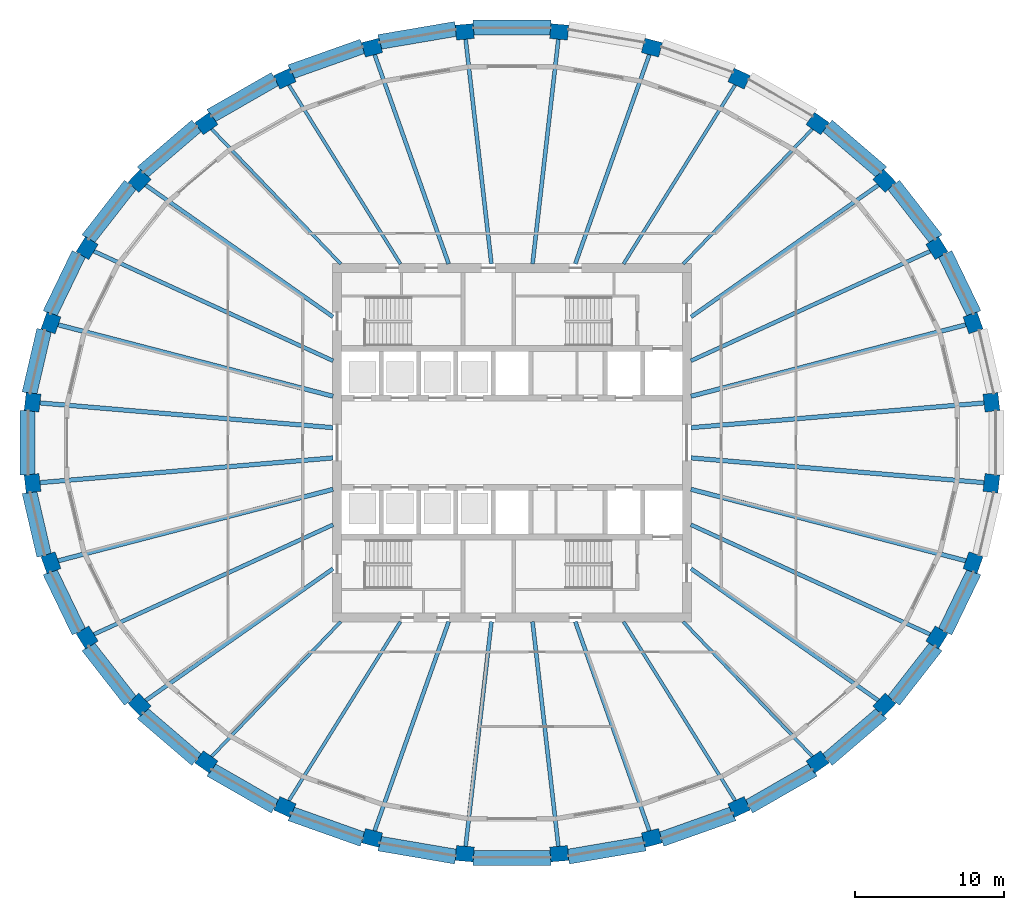
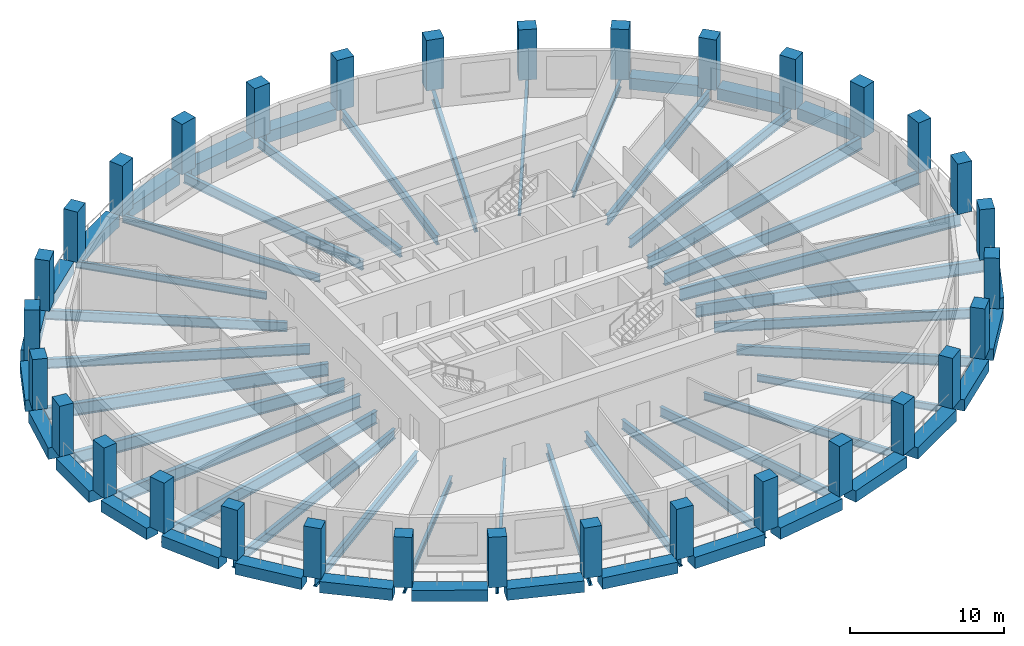
# One storey, part 1 of 10: 58 beams, 32 columns.
"""IFC4 building model written with IfcOpenShell, lengths in metres."""

from ifc_helpers import new_model, si_unit, direction, frame, origin, origin_2d, place, context, subcontext, project, spatial, rectangle, i_section, extrude, material, material_profile, profile_set, type_object, element, save


model = new_model("IFC4")

# Units and contexts
model_context = context("Model", 3, precision=1e-05, world=origin(), true_north=direction((0.0, 1.0)))
body_context = subcontext(model_context, "Body", "Model", "MODEL_VIEW")
ifc_project = project(units=[si_unit("LENGTHUNIT", "METRE"), si_unit("AREAUNIT", "SQUARE_METRE"), si_unit("VOLUMEUNIT", "CUBIC_METRE"), si_unit("PLANEANGLEUNIT", "RADIAN"), si_unit("MASSUNIT", "GRAM", prefix="KILO")], contexts=[model_context])

# Site, building, storey
site_placement = place(None, origin())
site = spatial("IfcSite", under=ifc_project, at=site_placement, CompositionType="ELEMENT")
building_placement = place(site_placement, origin())
building = spatial("IfcBuilding", under=site, at=building_placement, Name="Halqa Exchange Tower", CompositionType="ELEMENT")
storey_placement = place(building_placement, frame((0.0, 0.0, 198.89990234375)))
storey = spatial("IfcBuildingStorey", under=building, at=storey_placement, Name="L45", CompositionType="ELEMENT", Elevation=198.89990234375)

# Columns
ifc_material_1 = material(Name="Concrete C60/75", Category="concrete")
ifc_material_profile_1 = material_profile(ifc_material_1, rectangle(XDim=1.199951171875, YDim=1.0, at=origin_2d()), Name="1200 x 1000")
ifc_profile_set_1 = profile_set([ifc_material_profile_1], Name="Concrete C60/75")
column_type = type_object("IfcColumnType", Name="RC ring column 1200 x 1000 C60/75", PredefinedType="COLUMN", material=ifc_profile_set_1)
for number, where, z_axis, x_axis, name in (
    (1, (32.08154296875, 2.70849609375, 0.0), (0.0, 0.0, 1.0), (-0.114156921978, 0.993462730637, 0.0), "Ring column 1"),
    (2, (30.8486328125, 8.02099609375, 0.0), (0.0, 0.0, 1.0), (-0.333632460227, 0.942703230865, 0.0), "Ring column 2"),
    (3, (28.430419921875, 13.025390625, 0.0), (0.0, 0.0, 1.0), (-0.529143458197, 0.848532380435, 0.0), "Ring column 3"),
    (4, (24.91943359375, 17.529296875, 0.0), (0.0, 0.0, 1.0), (-0.691577351953, 0.722302406382, 0.0), "Ring column 4"),
    (5, (20.45068359375, 21.359375, 0.0), (0.0, 0.0, 1.0), (-0.817908788019, 0.57534790734, 0.0), "Ring column 5"),
    (6, (15.1962890625, 24.368896484375, 0.0), (0.0, 0.0, 1.0), (-0.909126368869, 0.416520402174, 0.0), "Ring column 6"),
    (7, (9.35791015625, 26.441650390625, 0.0), (0.0, 0.0, 1.0), (-0.967820381973, 0.251642023988, 0.0), "Ring column 7"),
    (8, (3.159912109375, 27.498291015625, 0.0), (0.0, 0.0, 1.0), (-0.996455812618, 0.084117854819, 0.0), "Ring column 8"),
    (9, (-3.159912109375, 27.498291015625, 0.0), (0.0, 0.0, 1.0), (-0.996455812618, -0.084117854819, 0.0), "Ring column 9"),
    (10, (-9.35791015625, 26.441650390625, 0.0), (0.0, 0.0, 1.0), (-0.967820381973, -0.251642023988, 0.0), "Ring column 10"),
    (11, (-15.1962890625, 24.368896484375, 0.0), (0.0, 0.0, 1.0), (-0.909126368869, -0.416520402174, 0.0), "Ring column 11"),
    (12, (-20.45068359375, 21.359375, 0.0), (0.0, 0.0, 1.0), (-0.817908788019, -0.57534790734, 0.0), "Ring column 12"),
    (13, (-24.91943359375, 17.529296875, 0.0), (0.0, 0.0, 1.0), (-0.691577351953, -0.722302406382, 0.0), "Ring column 13"),
    (14, (-28.430419921875, 13.025390625, 0.0), (0.0, 0.0, 1.0), (-0.529143458197, -0.848532380435, 0.0), "Ring column 14"),
    (15, (-30.8486328125, 8.02099609375, 0.0), (0.0, 0.0, 1.0), (-0.333632460227, -0.942703230865, 0.0), "Ring column 15"),
    (16, (-32.08154296875, 2.70849609375, 0.0), (0.0, 0.0, 1.0), (-0.114156921978, -0.993462730637, 0.0), "Ring column 16"),
    (17, (-32.08154296875, -2.70849609375, 0.0), (0.0, 0.0, 1.0), (0.114156921978, -0.993462730637, 0.0), "Ring column 17"),
    (18, (-30.8486328125, -8.02099609375, 0.0), (0.0, 0.0, 1.0), (0.333632460227, -0.942703230865, 0.0), "Ring column 18"),
    (19, (-28.430419921875, -13.025390625, 0.0), (0.0, 0.0, 1.0), (0.529143458197, -0.848532380435, 0.0), "Ring column 19"),
    (20, (-24.91943359375, -17.529296875, 0.0), (0.0, 0.0, 1.0), (0.691577351953, -0.722302406382, 0.0), "Ring column 20"),
    (21, (-20.45068359375, -21.359375, 0.0), (0.0, 0.0, 1.0), (0.817908788019, -0.57534790734, 0.0), "Ring column 21"),
    (22, (-15.1962890625, -24.368896484375, 0.0), (0.0, 0.0, 1.0), (0.909126368869, -0.416520402174, 0.0), "Ring column 22"),
    (23, (-9.35791015625, -26.441650390625, 0.0), (0.0, 0.0, 1.0), (0.967820381973, -0.251642023988, 0.0), "Ring column 23"),
    (24, (-3.159912109375, -27.498291015625, 0.0), (0.0, 0.0, 1.0), (0.996455812618, -0.084117854819, 0.0), "Ring column 24"),
    (25, (3.159912109375, -27.498291015625, 0.0), (0.0, 0.0, 1.0), (0.996455812618, 0.084117854819, 0.0), "Ring column 25"),
    (26, (9.35791015625, -26.441650390625, 0.0), (0.0, 0.0, 1.0), (0.967820381973, 0.251642023988, 0.0), "Ring column 26"),
    (27, (15.1962890625, -24.368896484375, 0.0), (0.0, 0.0, 1.0), (0.909126368869, 0.416520402174, 0.0), "Ring column 27"),
    (28, (20.45068359375, -21.359375, 0.0), (0.0, 0.0, 1.0), (0.817908788019, 0.57534790734, 0.0), "Ring column 28"),
    (29, (24.91943359375, -17.529296875, 0.0), (0.0, 0.0, 1.0), (0.691577351953, 0.722302406382, 0.0), "Ring column 29"),
    (30, (28.430419921875, -13.025390625, 0.0), (0.0, 0.0, 1.0), (0.529143458197, 0.848532380435, 0.0), "Ring column 30"),
    (31, (30.8486328125, -8.02099609375, 0.0), (0.0, 0.0, 1.0), (0.333632460227, 0.942703230865, 0.0), "Ring column 31"),
    (32, (32.08154296875, -2.70849609375, 0.0), (0.0, 0.0, 1.0), (0.114156921978, 0.993462730637, 0.0), "Ring column 32"),
):
    element("IfcColumn", number, at=place(storey_placement, frame(where, z_axis=z_axis, x_axis=x_axis)), inside=storey, type_object=column_type, Name=name, PredefinedType="COLUMN", context=body_context, shape_type="SweptSolid", body=[
        extrude(rectangle(XDim=1.199951171875, YDim=1.0, at=origin_2d()), origin(), (0.0, 0.0, 1.0), 4.0),
    ])

# Beams
ifc_material_2 = material(Name="Steel S355", Category="steel")
ifc_material_profile_2 = material_profile(ifc_material_2, i_section(OverallWidth=0.300048828125, OverallDepth=0.989990234375, WebThickness=0.0166015625, FlangeThickness=0.031005859375, FilletRadius=0.030029296875, at=origin_2d()), Name="HEA 1000")
ifc_profile_set_2 = profile_set([ifc_material_profile_2], Name="Steel S355")
beam_type_1 = type_object("IfcBeamType", Name="Floor beam HEA 1000", PredefinedType="BEAM", material=ifc_profile_set_2)
beam_1_placement = place(storey_placement, frame((11.972412109375, 1.0107421875, -0.794921875), z_axis=(0.996455519118, 0.084121331533, 0.0), x_axis=(-0.084121331533, 0.996455519118, 0.0)))
element("IfcBeam", 33, at=beam_1_placement, inside=storey, type_object=beam_type_1, Name="Radial beam 1", PredefinedType="BEAM", context=body_context, shape_type="SweptSolid", body=[
    extrude(i_section(OverallWidth=0.300048828125, OverallDepth=0.989990234375, WebThickness=0.0166015625, FlangeThickness=0.031005859375, FilletRadius=0.030029296875, at=origin_2d()), origin(), (0.0, 0.0, 1.0), 20.150390625),
])
for number, where, z_axis, x_axis, name in (
    (34, (11.97119140625, 3.112548828125, -0.794921875), (0.967819636099, 0.251644892619, 0.0), (-0.251644892619, 0.967819636099, 0.0), "Radial beam 2"),
    (35, (-11.97119140625, 3.112548828125, -0.794921875), (-0.967819636099, 0.251644892619, 0.0), (-0.251644892619, -0.967819636099, 0.0), "Radial beam 15"),
):
    element("IfcBeam", number, at=place(storey_placement, frame(where, z_axis=z_axis, x_axis=x_axis)), inside=storey, type_object=beam_type_1, Name=name, PredefinedType="BEAM", context=body_context, shape_type="SweptSolid", body=[
        extrude(i_section(OverallWidth=0.300048828125, OverallDepth=0.989990234375, WebThickness=0.0166015625, FlangeThickness=0.031005859375, FilletRadius=0.030029296875, at=origin_2d()), origin(), (0.0, 0.0, 1.0), 19.469482421875),
    ])
for number, where, z_axis, x_axis, name in (
    (36, (-11.972412109375, 1.0107421875, -0.794921875), (-0.996455519118, 0.084121331533, 0.0), (-0.084121331533, -0.996455519118, 0.0), "Radial beam 16"),
    (37, (-11.972412109375, -1.0107421875, -0.794921875), (-0.996455519118, -0.084121331533, 0.0), (0.084121331533, -0.996455519118, 0.0), "Radial beam 17"),
):
    element("IfcBeam", number, at=place(storey_placement, frame(where, z_axis=z_axis, x_axis=x_axis)), inside=storey, type_object=beam_type_1, Name=name, PredefinedType="BEAM", context=body_context, shape_type="SweptSolid", body=[
        extrude(i_section(OverallWidth=0.300048828125, OverallDepth=0.989990234375, WebThickness=0.0166015625, FlangeThickness=0.031005859375, FilletRadius=0.030029296875, at=origin_2d()), origin(), (0.0, 0.0, 1.0), 20.150390625),
    ])
for number, where, z_axis, x_axis, name in (
    (38, (-11.97119140625, -3.112548828125, -0.794921875), (-0.967819636099, -0.251644892619, 0.0), (0.251644892619, -0.967819636099, 0.0), "Radial beam 18"),
    (39, (11.97119140625, -3.112548828125, -0.794921875), (0.967819636099, -0.251644892619, 0.0), (0.251644892619, 0.967819636099, 0.0), "Radial beam 31"),
):
    element("IfcBeam", number, at=place(storey_placement, frame(where, z_axis=z_axis, x_axis=x_axis)), inside=storey, type_object=beam_type_1, Name=name, PredefinedType="BEAM", context=body_context, shape_type="SweptSolid", body=[
        extrude(i_section(OverallWidth=0.300048828125, OverallDepth=0.989990234375, WebThickness=0.0166015625, FlangeThickness=0.031005859375, FilletRadius=0.030029296875, at=origin_2d()), origin(), (0.0, 0.0, 1.0), 19.469482421875),
    ])
beam_2_placement = place(storey_placement, frame((11.972412109375, -1.0107421875, -0.794921875), z_axis=(0.996455519118, -0.084121331533, 0.0), x_axis=(0.084121331533, 0.996455519118, 0.0)))
element("IfcBeam", 40, at=beam_2_placement, inside=storey, type_object=beam_type_1, Name="Radial beam 32", PredefinedType="BEAM", context=body_context, shape_type="SweptSolid", body=[
    extrude(i_section(OverallWidth=0.300048828125, OverallDepth=0.989990234375, WebThickness=0.0166015625, FlangeThickness=0.031005859375, FilletRadius=0.030029296875, at=origin_2d()), origin(), (0.0, 0.0, 1.0), 20.150390625),
])
ifc_material_profile_3 = material_profile(ifc_material_2, i_section(OverallWidth=0.2099609375, OverallDepth=0.550048828125, WebThickness=0.010986328125, FlangeThickness=0.01708984375, FilletRadius=0.02392578125, at=origin_2d()), Name="IPE 550")
ifc_profile_set_3 = profile_set([ifc_material_profile_3], Name="Steel S355")
beam_type_2 = type_object("IfcBeamType", Name="Floor beam IPE 550", PredefinedType="BEAM", material=ifc_profile_set_3)
for number, where, z_axis, x_axis, name in (
    (41, (11.462646484375, 11.971923828125, -0.574951171875), (0.691565841916, 0.722313426634, 0.0), (-0.722313426634, 0.691565841916, 0.0), "Radial beam 5"),
    (42, (-11.462646484375, 11.971923828125, -0.574951171875), (-0.691565841916, 0.722313426634, 0.0), (-0.722313426634, -0.691565841916, 0.0), "Radial beam 12"),
    (43, (-11.462646484375, -11.971923828125, -0.574951171875), (-0.691565841916, -0.722313426634, 0.0), (0.722313426634, -0.691565841916, 0.0), "Radial beam 21"),
    (44, (11.462646484375, -11.971923828125, -0.574951171875), (0.691565841916, -0.722313426634, 0.0), (0.722313426634, 0.691565841916, 0.0), "Radial beam 28"),
):
    element("IfcBeam", number, at=place(storey_placement, frame(where, z_axis=z_axis, x_axis=x_axis)), inside=storey, type_object=beam_type_2, Name=name, PredefinedType="BEAM", context=body_context, shape_type="SweptSolid", body=[
        extrude(i_section(OverallWidth=0.2099609375, OverallDepth=0.550048828125, WebThickness=0.010986328125, FlangeThickness=0.01708984375, FilletRadius=0.02392578125, at=origin_2d()), origin(), (0.0, 0.0, 1.0), 12.9345703125),
    ])
ifc_material_profile_4 = material_profile(ifc_material_2, i_section(OverallWidth=0.219970703125, OverallDepth=0.60009765625, WebThickness=0.011962890625, FlangeThickness=0.01904296875, FilletRadius=0.02392578125, at=origin_2d()), Name="IPE 600")
ifc_profile_set_4 = profile_set([ifc_material_profile_4], Name="Steel S355")
beam_type_3 = type_object("IfcBeamType", Name="Floor beam IPE 600", PredefinedType="BEAM", material=ifc_profile_set_4)
for number, where, z_axis, x_axis, name in (
    (45, (7.4658203125, 11.972412109375, -0.599853515625), (0.529145816582, 0.848530909746, 0.0), (-0.848530909746, 0.529145816582, 0.0), "Radial beam 6"),
    (46, (-7.4658203125, 11.972412109375, -0.599853515625), (-0.529145816582, 0.848530909746, 0.0), (-0.848530909746, -0.529145816582, 0.0), "Radial beam 11"),
    (47, (-7.4658203125, -11.972412109375, -0.599853515625), (-0.529145816582, -0.848530909746, 0.0), (0.848530909746, -0.529145816582, 0.0), "Radial beam 22"),
    (48, (7.4658203125, -11.972412109375, -0.599853515625), (0.529145816582, -0.848530909746, 0.0), (0.848530909746, 0.529145816582, 0.0), "Radial beam 27"),
):
    element("IfcBeam", number, at=place(storey_placement, frame(where, z_axis=z_axis, x_axis=x_axis)), inside=storey, type_object=beam_type_3, Name=name, PredefinedType="BEAM", context=body_context, shape_type="SweptSolid", body=[
        extrude(i_section(OverallWidth=0.219970703125, OverallDepth=0.60009765625, WebThickness=0.011962890625, FlangeThickness=0.01904296875, FilletRadius=0.02392578125, at=origin_2d()), origin(), (0.0, 0.0, 1.0), 14.538330078125),
    ])
ifc_material_profile_5 = material_profile(ifc_material_2, i_section(OverallWidth=0.264892578125, OverallDepth=0.7529296875, WebThickness=0.01318359375, FlangeThickness=0.01708984375, FilletRadius=0.01708984375, at=origin_2d()), Name="IPE 750x147")
ifc_profile_set_5 = profile_set([ifc_material_profile_5], Name="Steel S355")
beam_type_4 = type_object("IfcBeamType", Name="Floor beam IPE 750x147", PredefinedType="BEAM", material=ifc_profile_set_5)
beam_3_placement = place(storey_placement, frame((11.972412109375, 5.4853515625, -0.676513671875), z_axis=(0.909129033384, 0.416514586369, 0.0), x_axis=(-0.416514586369, 0.909129033384, 0.0)))
element("IfcBeam", 49, at=beam_3_placement, inside=storey, type_object=beam_type_4, Name="Radial beam 3", PredefinedType="BEAM", context=body_context, shape_type="SweptSolid", body=[
    extrude(i_section(OverallWidth=0.264892578125, OverallDepth=0.7529296875, WebThickness=0.01318359375, FlangeThickness=0.01708984375, FilletRadius=0.01708984375, at=origin_2d()), origin(), (0.0, 0.0, 1.0), 18.058837890625),
])
beam_4_placement = place(storey_placement, frame((11.97216796875, 8.421630859375, -0.676513671875), z_axis=(0.817902974143, 0.5753561722, 0.0), x_axis=(-0.5753561722, 0.817902974143, 0.0)))
element("IfcBeam", 50, at=beam_4_placement, inside=storey, type_object=beam_type_4, Name="Radial beam 4", PredefinedType="BEAM", context=body_context, shape_type="SweptSolid", body=[
    extrude(i_section(OverallWidth=0.264892578125, OverallDepth=0.7529296875, WebThickness=0.01318359375, FlangeThickness=0.01708984375, FilletRadius=0.01708984375, at=origin_2d()), origin(), (0.0, 0.0, 1.0), 15.777099609375),
])
beam_5_placement = place(storey_placement, frame((4.23681640625, 11.9716796875, -0.676513671875), z_axis=(0.333634381402, 0.942702550939, 0.0), x_axis=(-0.942702550939, 0.333634381402, 0.0)))
element("IfcBeam", 51, at=beam_5_placement, inside=storey, type_object=beam_type_4, Name="Radial beam 7", PredefinedType="BEAM", context=body_context, shape_type="SweptSolid", body=[
    extrude(i_section(OverallWidth=0.264892578125, OverallDepth=0.7529296875, WebThickness=0.01318359375, FlangeThickness=0.01708984375, FilletRadius=0.01708984375, at=origin_2d()), origin(), (0.0, 0.0, 1.0), 15.273193359375),
])
for number, where, z_axis, x_axis, name in (
    (52, (1.375732421875, 11.972900390625, -0.676513671875), (0.114161639425, 0.993462188553, 0.0), (-0.993462188553, 0.114161639425, 0.0), "Radial beam 8"),
    (53, (-1.375732421875, 11.972900390625, -0.676513671875), (-0.114161639425, 0.993462188553, 0.0), (-0.993462188553, -0.114161639425, 0.0), "Radial beam 9"),
):
    element("IfcBeam", number, at=place(storey_placement, frame(where, z_axis=z_axis, x_axis=x_axis)), inside=storey, type_object=beam_type_4, Name=name, PredefinedType="BEAM", context=body_context, shape_type="SweptSolid", body=[
        extrude(i_section(OverallWidth=0.264892578125, OverallDepth=0.7529296875, WebThickness=0.01318359375, FlangeThickness=0.01708984375, FilletRadius=0.01708984375, at=origin_2d()), origin(), (0.0, 0.0, 1.0), 15.54931640625),
    ])
beam_6_placement = place(storey_placement, frame((-4.23681640625, 11.9716796875, -0.676513671875), z_axis=(-0.333634381402, 0.942702550939, 0.0), x_axis=(-0.942702550939, -0.333634381402, 0.0)))
element("IfcBeam", 54, at=beam_6_placement, inside=storey, type_object=beam_type_4, Name="Radial beam 10", PredefinedType="BEAM", context=body_context, shape_type="SweptSolid", body=[
    extrude(i_section(OverallWidth=0.264892578125, OverallDepth=0.7529296875, WebThickness=0.01318359375, FlangeThickness=0.01708984375, FilletRadius=0.01708984375, at=origin_2d()), origin(), (0.0, 0.0, 1.0), 15.273193359375),
])
beam_7_placement = place(storey_placement, frame((-11.97216796875, 8.421630859375, -0.676513671875), z_axis=(-0.817902974143, 0.5753561722, 0.0), x_axis=(-0.5753561722, -0.817902974143, 0.0)))
element("IfcBeam", 55, at=beam_7_placement, inside=storey, type_object=beam_type_4, Name="Radial beam 13", PredefinedType="BEAM", context=body_context, shape_type="SweptSolid", body=[
    extrude(i_section(OverallWidth=0.264892578125, OverallDepth=0.7529296875, WebThickness=0.01318359375, FlangeThickness=0.01708984375, FilletRadius=0.01708984375, at=origin_2d()), origin(), (0.0, 0.0, 1.0), 15.777099609375),
])
for number, where, z_axis, x_axis, name in (
    (56, (-11.972412109375, 5.4853515625, -0.676513671875), (-0.909129033384, 0.416514586369, 0.0), (-0.416514586369, -0.909129033384, 0.0), "Radial beam 14"),
    (57, (-11.972412109375, -5.4853515625, -0.676513671875), (-0.909129033384, -0.416514586369, 0.0), (0.416514586369, -0.909129033384, 0.0), "Radial beam 19"),
):
    element("IfcBeam", number, at=place(storey_placement, frame(where, z_axis=z_axis, x_axis=x_axis)), inside=storey, type_object=beam_type_4, Name=name, PredefinedType="BEAM", context=body_context, shape_type="SweptSolid", body=[
        extrude(i_section(OverallWidth=0.264892578125, OverallDepth=0.7529296875, WebThickness=0.01318359375, FlangeThickness=0.01708984375, FilletRadius=0.01708984375, at=origin_2d()), origin(), (0.0, 0.0, 1.0), 18.058837890625),
    ])
beam_8_placement = place(storey_placement, frame((-11.97216796875, -8.421630859375, -0.676513671875), z_axis=(-0.817902974143, -0.5753561722, 0.0), x_axis=(0.5753561722, -0.817902974143, 0.0)))
element("IfcBeam", 58, at=beam_8_placement, inside=storey, type_object=beam_type_4, Name="Radial beam 20", PredefinedType="BEAM", context=body_context, shape_type="SweptSolid", body=[
    extrude(i_section(OverallWidth=0.264892578125, OverallDepth=0.7529296875, WebThickness=0.01318359375, FlangeThickness=0.01708984375, FilletRadius=0.01708984375, at=origin_2d()), origin(), (0.0, 0.0, 1.0), 15.777099609375),
])
beam_9_placement = place(storey_placement, frame((-4.23681640625, -11.9716796875, -0.676513671875), z_axis=(-0.333634381402, -0.942702550939, 0.0), x_axis=(0.942702550939, -0.333634381402, 0.0)))
element("IfcBeam", 59, at=beam_9_placement, inside=storey, type_object=beam_type_4, Name="Radial beam 23", PredefinedType="BEAM", context=body_context, shape_type="SweptSolid", body=[
    extrude(i_section(OverallWidth=0.264892578125, OverallDepth=0.7529296875, WebThickness=0.01318359375, FlangeThickness=0.01708984375, FilletRadius=0.01708984375, at=origin_2d()), origin(), (0.0, 0.0, 1.0), 15.273193359375),
])
for number, where, z_axis, x_axis, name in (
    (60, (-1.375732421875, -11.972900390625, -0.676513671875), (-0.114161639425, -0.993462188553, 0.0), (0.993462188553, -0.114161639425, 0.0), "Radial beam 24"),
    (61, (1.375732421875, -11.972900390625, -0.676513671875), (0.114161639425, -0.993462188553, 0.0), (0.993462188553, 0.114161639425, 0.0), "Radial beam 25"),
):
    element("IfcBeam", number, at=place(storey_placement, frame(where, z_axis=z_axis, x_axis=x_axis)), inside=storey, type_object=beam_type_4, Name=name, PredefinedType="BEAM", context=body_context, shape_type="SweptSolid", body=[
        extrude(i_section(OverallWidth=0.264892578125, OverallDepth=0.7529296875, WebThickness=0.01318359375, FlangeThickness=0.01708984375, FilletRadius=0.01708984375, at=origin_2d()), origin(), (0.0, 0.0, 1.0), 15.54931640625),
    ])
beam_10_placement = place(storey_placement, frame((4.23681640625, -11.9716796875, -0.676513671875), z_axis=(0.333634381402, -0.942702550939, 0.0), x_axis=(0.942702550939, 0.333634381402, 0.0)))
element("IfcBeam", 62, at=beam_10_placement, inside=storey, type_object=beam_type_4, Name="Radial beam 26", PredefinedType="BEAM", context=body_context, shape_type="SweptSolid", body=[
    extrude(i_section(OverallWidth=0.264892578125, OverallDepth=0.7529296875, WebThickness=0.01318359375, FlangeThickness=0.01708984375, FilletRadius=0.01708984375, at=origin_2d()), origin(), (0.0, 0.0, 1.0), 15.273193359375),
])
beam_11_placement = place(storey_placement, frame((11.97216796875, -8.421630859375, -0.676513671875), z_axis=(0.817902974143, -0.5753561722, 0.0), x_axis=(0.5753561722, 0.817902974143, 0.0)))
element("IfcBeam", 63, at=beam_11_placement, inside=storey, type_object=beam_type_4, Name="Radial beam 29", PredefinedType="BEAM", context=body_context, shape_type="SweptSolid", body=[
    extrude(i_section(OverallWidth=0.264892578125, OverallDepth=0.7529296875, WebThickness=0.01318359375, FlangeThickness=0.01708984375, FilletRadius=0.01708984375, at=origin_2d()), origin(), (0.0, 0.0, 1.0), 15.777099609375),
])
beam_12_placement = place(storey_placement, frame((11.972412109375, -5.4853515625, -0.676513671875), z_axis=(0.909129033384, -0.416514586369, 0.0), x_axis=(0.416514586369, 0.909129033384, 0.0)))
element("IfcBeam", 64, at=beam_12_placement, inside=storey, type_object=beam_type_4, Name="Radial beam 30", PredefinedType="BEAM", context=body_context, shape_type="SweptSolid", body=[
    extrude(i_section(OverallWidth=0.264892578125, OverallDepth=0.7529296875, WebThickness=0.01318359375, FlangeThickness=0.01708984375, FilletRadius=0.01708984375, at=origin_2d()), origin(), (0.0, 0.0, 1.0), 18.058837890625),
])
ifc_material_profile_6 = material_profile(ifc_material_1, rectangle(XDim=1.0, YDim=0.89990234375, at=origin_2d()), Name="1000 x 900")
ifc_profile_set_6 = profile_set([ifc_material_profile_6], Name="Concrete C60/75")
beam_type_5 = type_object("IfcBeamType", Name="RC spandrel beam 1000 x 900 C60/75", PredefinedType="SPANDREL", material=ifc_profile_set_6)
beam_13_placement = place(storey_placement, frame((30.926025390625, 8.62353515625, -0.449951171875), z_axis=(-0.435105156269, 0.90037964381, 0.0), x_axis=(-0.90037964381, -0.435105156269, 0.0)))
element("IfcBeam", 65, at=beam_13_placement, inside=storey, type_object=beam_type_5, Name="Spandrel 2", PredefinedType="SPANDREL", context=body_context, shape_type="SweptSolid", body=[
    extrude(rectangle(XDim=1.0, YDim=0.89990234375, at=origin_2d()), origin(), (0.0, 0.0, 1.0), 4.467041015625),
])
beam_14_placement = place(storey_placement, frame((28.37890625, 13.61669921875, -0.449951171875), z_axis=(-0.61482158331, 0.788666228956, 0.0), x_axis=(-0.788666228956, -0.61482158331, 0.0)))
element("IfcBeam", 66, at=beam_14_placement, inside=storey, type_object=beam_type_5, Name="Spandrel 3", PredefinedType="SPANDREL", context=body_context, shape_type="SweptSolid", body=[
    extrude(rectangle(XDim=1.0, YDim=0.89990234375, at=origin_2d()), origin(), (0.0, 0.0, 1.0), 4.621826171875),
])
beam_15_placement = place(storey_placement, frame((24.748046875, 18.088623046875, -0.449951171875), z_axis=(-0.759224286628, 0.650829073255, 0.0), x_axis=(-0.650829073255, -0.759224286628, 0.0)))
element("IfcBeam", 67, at=beam_15_placement, inside=storey, type_object=beam_type_5, Name="Spandrel 4", PredefinedType="SPANDREL", context=body_context, shape_type="SweptSolid", body=[
    extrude(rectangle(XDim=1.0, YDim=0.89990234375, at=origin_2d()), origin(), (0.0, 0.0, 1.0), 4.7998046875),
])
beam_16_placement = place(storey_placement, frame((2.619873046875, 27.790283203125, -0.449951171875), z_axis=(-1.0, 0.0, 0.0), x_axis=(0.0, -1.0, 0.0)))
element("IfcBeam", 68, at=beam_16_placement, inside=storey, type_object=beam_type_5, Name="Spandrel 8", PredefinedType="SPANDREL", context=body_context, shape_type="SweptSolid", body=[
    extrude(rectangle(XDim=1.0, YDim=0.89990234375, at=origin_2d()), origin(), (0.0, 0.0, 1.0), 5.23974609375),
])
beam_17_placement = place(storey_placement, frame((-3.7587890625, 27.69384765625, -0.449951171875), z_axis=(-0.98577756744, -0.168055310931, 0.0), x_axis=(0.168055310931, -0.98577756744, 0.0)))
element("IfcBeam", 69, at=beam_17_placement, inside=storey, type_object=beam_type_5, Name="Spandrel 9", PredefinedType="SPANDREL", context=body_context, shape_type="SweptSolid", body=[
    extrude(rectangle(XDim=1.0, YDim=0.89990234375, at=origin_2d()), origin(), (0.0, 0.0, 1.0), 5.20654296875),
])
beam_18_placement = place(storey_placement, frame((-9.998779296875, 26.530029296875, -0.449951171875), z_axis=(-0.942368993824, -0.334575371895, 0.0), x_axis=(0.334575371895, -0.942368993824, 0.0)))
element("IfcBeam", 70, at=beam_18_placement, inside=storey, type_object=beam_type_5, Name="Spandrel 10", PredefinedType="SPANDREL", context=body_context, shape_type="SweptSolid", body=[
    extrude(rectangle(XDim=1.0, YDim=0.89990234375, at=origin_2d()), origin(), (0.0, 0.0, 1.0), 5.113037109375),
])
beam_19_placement = place(storey_placement, frame((-15.85595703125, 24.342041015625, -0.449951171875), z_axis=(-0.867771135112, -0.496964040013, 0.0), x_axis=(0.496964040013, -0.867771135112, 0.0)))
element("IfcBeam", 71, at=beam_19_placement, inside=storey, type_object=beam_type_5, Name="Spandrel 11", PredefinedType="SPANDREL", context=body_context, shape_type="SweptSolid", body=[
    extrude(rectangle(XDim=1.0, YDim=0.89990234375, at=origin_2d()), origin(), (0.0, 0.0, 1.0), 4.9697265625),
])
beam_20_placement = place(storey_placement, frame((-21.10400390625, 21.21240234375, -0.449951171875), z_axis=(-0.759224286628, -0.650829073255, 0.0), x_axis=(0.650829073255, -0.759224286628, 0.0)))
element("IfcBeam", 72, at=beam_20_placement, inside=storey, type_object=beam_type_5, Name="Spandrel 12", PredefinedType="SPANDREL", context=body_context, shape_type="SweptSolid", body=[
    extrude(rectangle(XDim=1.0, YDim=0.89990234375, at=origin_2d()), origin(), (0.0, 0.0, 1.0), 4.7998046875),
])
beam_21_placement = place(storey_placement, frame((-25.537353515625, 17.26171875, -0.449951171875), z_axis=(-0.61482158331, -0.788666228956, 0.0), x_axis=(0.788666228956, -0.61482158331, 0.0)))
element("IfcBeam", 73, at=beam_21_placement, inside=storey, type_object=beam_type_5, Name="Spandrel 13", PredefinedType="SPANDREL", context=body_context, shape_type="SweptSolid", body=[
    extrude(rectangle(XDim=1.0, YDim=0.89990234375, at=origin_2d()), origin(), (0.0, 0.0, 1.0), 4.621826171875),
])
beam_22_placement = place(storey_placement, frame((-28.982421875, 12.6455078125, -0.449951171875), z_axis=(-0.435105156269, -0.90037964381, 0.0), x_axis=(0.90037964381, -0.435105156269, 0.0)))
element("IfcBeam", 74, at=beam_22_placement, inside=storey, type_object=beam_type_5, Name="Spandrel 14", PredefinedType="SPANDREL", context=body_context, shape_type="SweptSolid", body=[
    extrude(rectangle(XDim=1.0, YDim=0.89990234375, at=origin_2d()), origin(), (0.0, 0.0, 1.0), 4.467041015625),
])
beam_23_placement = place(storey_placement, frame((-31.30615234375, 7.54541015625, -0.449951171875), z_axis=(-0.226069928804, -0.974111075438, 0.0), x_axis=(0.974111075438, -0.226069928804, 0.0)))
element("IfcBeam", 75, at=beam_23_placement, inside=storey, type_object=beam_type_5, Name="Spandrel 15", PredefinedType="SPANDREL", context=body_context, shape_type="SweptSolid", body=[
    extrude(rectangle(XDim=1.0, YDim=0.89990234375, at=origin_2d()), origin(), (0.0, 0.0, 1.0), 4.359619140625),
])
beam_24_placement = place(storey_placement, frame((-32.422119140625, 2.160400390625, -0.449951171875), z_axis=(0.0, -1.0, 0.0), x_axis=(1.0, 0.0, 0.0)))
element("IfcBeam", 76, at=beam_24_placement, inside=storey, type_object=beam_type_5, Name="Spandrel 16", PredefinedType="SPANDREL", context=body_context, shape_type="SweptSolid", body=[
    extrude(rectangle(XDim=1.0, YDim=0.89990234375, at=origin_2d()), origin(), (0.0, 0.0, 1.0), 4.32080078125),
])
beam_25_placement = place(storey_placement, frame((-32.291748046875, -3.298583984375, -0.449951171875), z_axis=(0.226069928804, -0.974111075438, 0.0), x_axis=(0.974111075438, 0.226069928804, 0.0)))
element("IfcBeam", 77, at=beam_25_placement, inside=storey, type_object=beam_type_5, Name="Spandrel 17", PredefinedType="SPANDREL", context=body_context, shape_type="SweptSolid", body=[
    extrude(rectangle(XDim=1.0, YDim=0.89990234375, at=origin_2d()), origin(), (0.0, 0.0, 1.0), 4.359619140625),
])
beam_26_placement = place(storey_placement, frame((-30.926025390625, -8.62353515625, -0.449951171875), z_axis=(0.435105156269, -0.90037964381, 0.0), x_axis=(0.90037964381, 0.435105156269, 0.0)))
element("IfcBeam", 78, at=beam_26_placement, inside=storey, type_object=beam_type_5, Name="Spandrel 18", PredefinedType="SPANDREL", context=body_context, shape_type="SweptSolid", body=[
    extrude(rectangle(XDim=1.0, YDim=0.89990234375, at=origin_2d()), origin(), (0.0, 0.0, 1.0), 4.467041015625),
])
beam_27_placement = place(storey_placement, frame((-28.37890625, -13.61669921875, -0.449951171875), z_axis=(0.61482158331, -0.788666228956, 0.0), x_axis=(0.788666228956, 0.61482158331, 0.0)))
element("IfcBeam", 79, at=beam_27_placement, inside=storey, type_object=beam_type_5, Name="Spandrel 19", PredefinedType="SPANDREL", context=body_context, shape_type="SweptSolid", body=[
    extrude(rectangle(XDim=1.0, YDim=0.89990234375, at=origin_2d()), origin(), (0.0, 0.0, 1.0), 4.621826171875),
])
beam_28_placement = place(storey_placement, frame((-24.748046875, -18.088623046875, -0.449951171875), z_axis=(0.759224286628, -0.650829073255, 0.0), x_axis=(0.650829073255, 0.759224286628, 0.0)))
element("IfcBeam", 80, at=beam_28_placement, inside=storey, type_object=beam_type_5, Name="Spandrel 20", PredefinedType="SPANDREL", context=body_context, shape_type="SweptSolid", body=[
    extrude(rectangle(XDim=1.0, YDim=0.89990234375, at=origin_2d()), origin(), (0.0, 0.0, 1.0), 4.7998046875),
])
beam_29_placement = place(storey_placement, frame((-20.16845703125, -21.872314453125, -0.449951171875), z_axis=(0.867771135112, -0.496964040013, 0.0), x_axis=(0.496964040013, 0.867771135112, 0.0)))
element("IfcBeam", 81, at=beam_29_placement, inside=storey, type_object=beam_type_5, Name="Spandrel 21", PredefinedType="SPANDREL", context=body_context, shape_type="SweptSolid", body=[
    extrude(rectangle(XDim=1.0, YDim=0.89990234375, at=origin_2d()), origin(), (0.0, 0.0, 1.0), 4.9697265625),
])
beam_30_placement = place(storey_placement, frame((-14.817138671875, -24.8193359375, -0.449951171875), z_axis=(0.942368993824, -0.334575371895, 0.0), x_axis=(0.334575371895, 0.942368993824, 0.0)))
element("IfcBeam", 82, at=beam_30_placement, inside=storey, type_object=beam_type_5, Name="Spandrel 22", PredefinedType="SPANDREL", context=body_context, shape_type="SweptSolid", body=[
    extrude(rectangle(XDim=1.0, YDim=0.89990234375, at=origin_2d()), origin(), (0.0, 0.0, 1.0), 5.113037109375),
])
beam_31_placement = place(storey_placement, frame((-8.891357421875, -26.81884765625, -0.449951171875), z_axis=(0.98577756744, -0.168055310931, 0.0), x_axis=(0.168055310931, 0.98577756744, 0.0)))
element("IfcBeam", 83, at=beam_31_placement, inside=storey, type_object=beam_type_5, Name="Spandrel 23", PredefinedType="SPANDREL", context=body_context, shape_type="SweptSolid", body=[
    extrude(rectangle(XDim=1.0, YDim=0.89990234375, at=origin_2d()), origin(), (0.0, 0.0, 1.0), 5.20654296875),
])
beam_32_placement = place(storey_placement, frame((-2.619873046875, -27.790283203125, -0.449951171875), z_axis=(1.0, 0.0, 0.0), x_axis=(0.0, 1.0, 0.0)))
element("IfcBeam", 84, at=beam_32_placement, inside=storey, type_object=beam_type_5, Name="Spandrel 24", PredefinedType="SPANDREL", context=body_context, shape_type="SweptSolid", body=[
    extrude(rectangle(XDim=1.0, YDim=0.89990234375, at=origin_2d()), origin(), (0.0, 0.0, 1.0), 5.23974609375),
])
beam_33_placement = place(storey_placement, frame((3.7587890625, -27.69384765625, -0.449951171875), z_axis=(0.98577756744, 0.168055310931, 0.0), x_axis=(-0.168055310931, 0.98577756744, 0.0)))
element("IfcBeam", 85, at=beam_33_placement, inside=storey, type_object=beam_type_5, Name="Spandrel 25", PredefinedType="SPANDREL", context=body_context, shape_type="SweptSolid", body=[
    extrude(rectangle(XDim=1.0, YDim=0.89990234375, at=origin_2d()), origin(), (0.0, 0.0, 1.0), 5.20654296875),
])
beam_34_placement = place(storey_placement, frame((9.998779296875, -26.530029296875, -0.449951171875), z_axis=(0.942368993824, 0.334575371895, 0.0), x_axis=(-0.334575371895, 0.942368993824, 0.0)))
element("IfcBeam", 86, at=beam_34_placement, inside=storey, type_object=beam_type_5, Name="Spandrel 26", PredefinedType="SPANDREL", context=body_context, shape_type="SweptSolid", body=[
    extrude(rectangle(XDim=1.0, YDim=0.89990234375, at=origin_2d()), origin(), (0.0, 0.0, 1.0), 5.113037109375),
])
beam_35_placement = place(storey_placement, frame((15.85595703125, -24.342041015625, -0.449951171875), z_axis=(0.867771135112, 0.496964040013, 0.0), x_axis=(-0.496964040013, 0.867771135112, 0.0)))
element("IfcBeam", 87, at=beam_35_placement, inside=storey, type_object=beam_type_5, Name="Spandrel 27", PredefinedType="SPANDREL", context=body_context, shape_type="SweptSolid", body=[
    extrude(rectangle(XDim=1.0, YDim=0.89990234375, at=origin_2d()), origin(), (0.0, 0.0, 1.0), 4.9697265625),
])
beam_36_placement = place(storey_placement, frame((21.10400390625, -21.21240234375, -0.449951171875), z_axis=(0.759224286628, 0.650829073255, 0.0), x_axis=(-0.650829073255, 0.759224286628, 0.0)))
element("IfcBeam", 88, at=beam_36_placement, inside=storey, type_object=beam_type_5, Name="Spandrel 28", PredefinedType="SPANDREL", context=body_context, shape_type="SweptSolid", body=[
    extrude(rectangle(XDim=1.0, YDim=0.89990234375, at=origin_2d()), origin(), (0.0, 0.0, 1.0), 4.7998046875),
])
beam_37_placement = place(storey_placement, frame((25.537353515625, -17.26171875, -0.449951171875), z_axis=(0.61482158331, 0.788666228956, 0.0), x_axis=(-0.788666228956, 0.61482158331, 0.0)))
element("IfcBeam", 89, at=beam_37_placement, inside=storey, type_object=beam_type_5, Name="Spandrel 29", PredefinedType="SPANDREL", context=body_context, shape_type="SweptSolid", body=[
    extrude(rectangle(XDim=1.0, YDim=0.89990234375, at=origin_2d()), origin(), (0.0, 0.0, 1.0), 4.621826171875),
])
beam_38_placement = place(storey_placement, frame((28.982421875, -12.6455078125, -0.449951171875), z_axis=(0.435105156269, 0.90037964381, 0.0), x_axis=(-0.90037964381, 0.435105156269, 0.0)))
element("IfcBeam", 90, at=beam_38_placement, inside=storey, type_object=beam_type_5, Name="Spandrel 30", PredefinedType="SPANDREL", context=body_context, shape_type="SweptSolid", body=[
    extrude(rectangle(XDim=1.0, YDim=0.89990234375, at=origin_2d()), origin(), (0.0, 0.0, 1.0), 4.467041015625),
])

save(model, "model.ifc")
